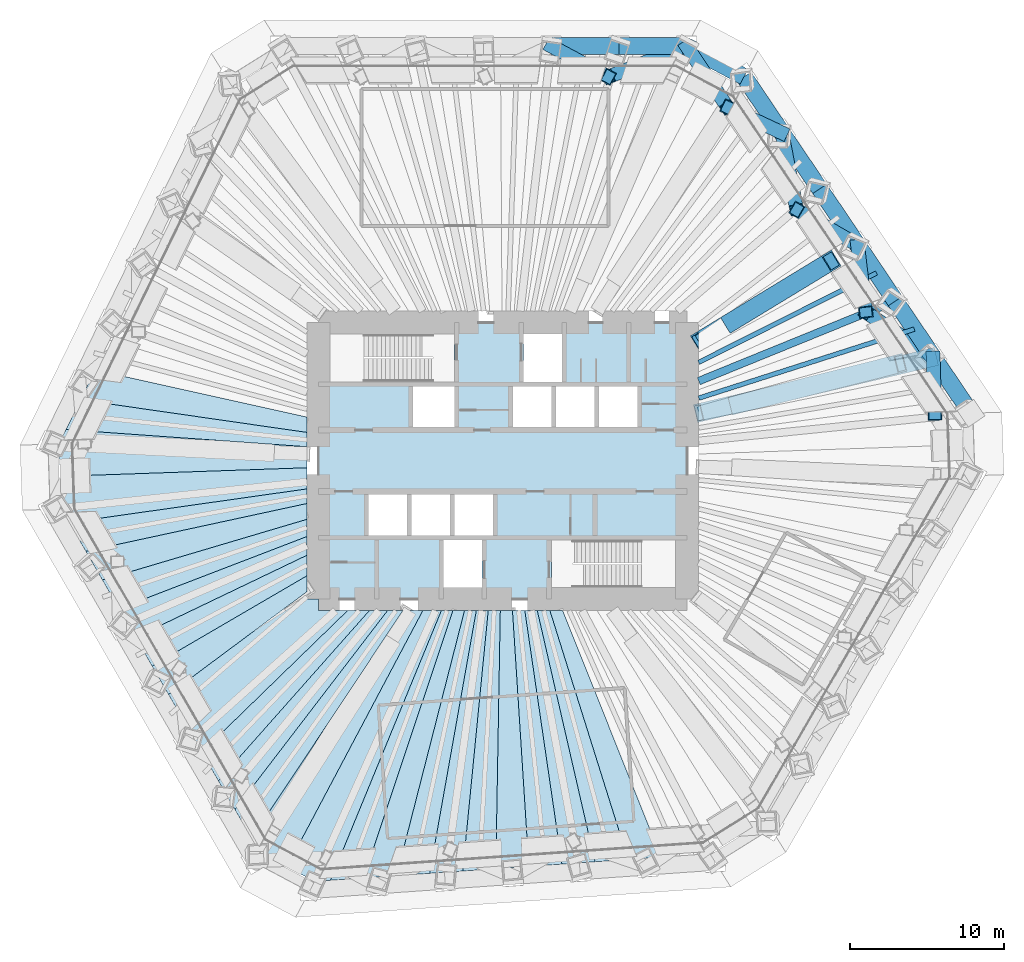
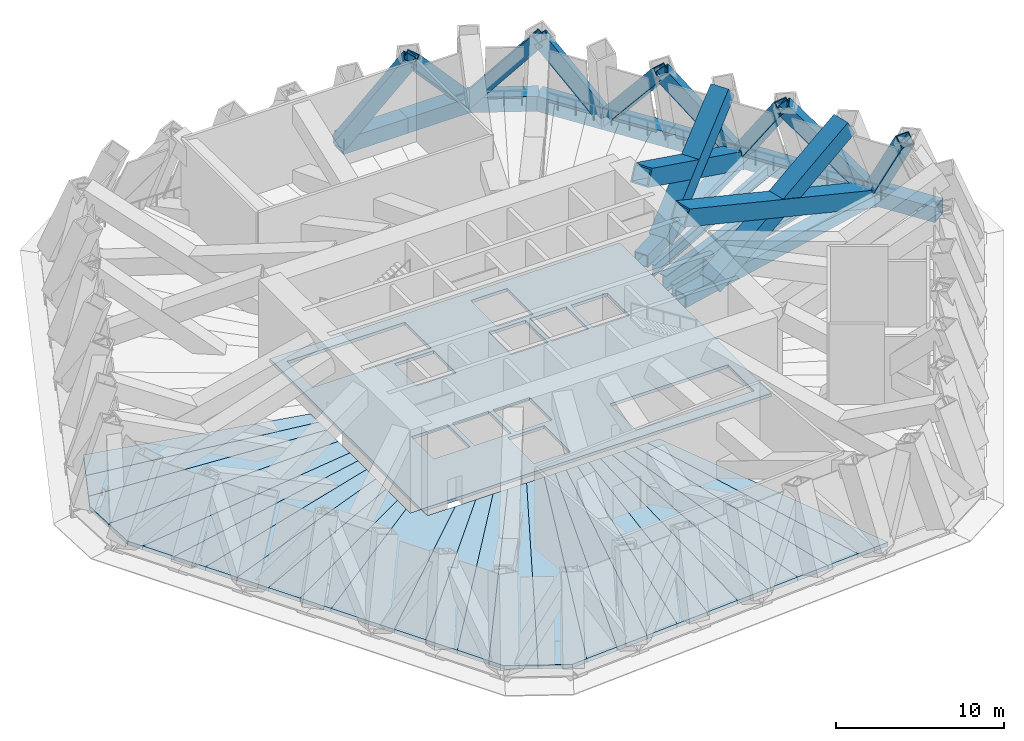
# One storey, part 5 of 12: 27 slabs, 22 members, 5 beams.
"""IFC4 building model written with IfcOpenShell, lengths in metres."""

from ifc_helpers import new_model, si_unit, direction, frame, origin, origin_2d, place, context, subcontext, project, spatial, polyline, hollow_rectangle, i_section, outline, extrude, material, layer, layer_set, material_profile, profile_set, type_object, element, save


model = new_model("IFC4")

# Units and contexts
model_context = context("Model", 3, precision=1e-05, world=origin(), true_north=direction((0.0, 1.0)))
body_context = subcontext(model_context, "Body", "Model", "MODEL_VIEW")
ifc_project = project(units=[si_unit("LENGTHUNIT", "METRE"), si_unit("AREAUNIT", "SQUARE_METRE"), si_unit("VOLUMEUNIT", "CUBIC_METRE"), si_unit("PLANEANGLEUNIT", "RADIAN"), si_unit("MASSUNIT", "GRAM", prefix="KILO")], contexts=[model_context])

# Site, building, storey
site_placement = place(None, origin())
site = spatial("IfcSite", under=ifc_project, at=site_placement, CompositionType="ELEMENT")
building_placement = place(site_placement, origin())
building = spatial("IfcBuilding", under=site, at=building_placement, Name="Qingtian Harvest Tower", CompositionType="ELEMENT")
storey_placement = place(building_placement, frame((0.0, 0.0, 97.0)))
storey = spatial("IfcBuildingStorey", under=building, at=storey_placement, Name="L19", CompositionType="ELEMENT", Elevation=97.0)

# Members
ifc_material_1 = material(Name="Steel SM570MC", Category="steel")
ifc_material_profile_1 = material_profile(ifc_material_1, hollow_rectangle(XDim=1.10009765625, YDim=1.10009765625, WallThickness=0.080078125, at=origin_2d()), Name="BOX1100x1100x80")
ifc_profile_set_1 = profile_set([ifc_material_profile_1], Name="Steel SM570MC")
member_type_1 = type_object("IfcMemberType", Name="Belt truss chord BC1 BOX1100x1100x80", PredefinedType="CHORD", material=ifc_profile_set_1)
for number, where, z_axis, x_axis, name in (
    (1, (3.14697265625, 27.0, -0.550048828125), (1.0, 0.0, 0.0), (0.0, 1.0, 0.0), "Belt chord BC1 N4"),
    (2, (7.551513671875, 27.0, -0.550048828125), (1.0, 0.0, 0.0), (0.0, 1.0, 0.0), "Belt chord BC1 N5"),
):
    element("IfcMember", number, at=place(storey_placement, frame(where, z_axis=z_axis, x_axis=x_axis)), inside=storey, type_object=member_type_1, Name=name, PredefinedType="CHORD", context=body_context, shape_type="SweptSolid", body=[
        extrude(hollow_rectangle(XDim=1.10009765625, YDim=1.10009765625, WallThickness=0.080078125, at=origin_2d()), origin(), (0.0, 0.0, 1.0), 4.404541015625),
    ])
member_1_placement = place(storey_placement, frame((11.9560546875, 27.0, -0.550048828125), z_axis=(0.882948599748, -0.469469669099, 0.0), x_axis=(0.469469669099, 0.882948599748, 0.0)))
element("IfcMember", 3, at=member_1_placement, inside=storey, type_object=member_type_1, Name="Belt chord BC1 NC", PredefinedType="CHORD", context=body_context, shape_type="SweptSolid", body=[
    extrude(hollow_rectangle(XDim=1.10009765625, YDim=1.10009765625, WallThickness=0.080078125, at=origin_2d()), origin(), (0.0, 0.0, 1.0), 4.23828125),
])
member_2_placement = place(storey_placement, frame((15.6982421875, 25.01025390625, -0.550048828125), z_axis=(0.559169135272, -0.829053603912, 0.0), x_axis=(0.829053603912, 0.559169135272, 0.0)))
element("IfcMember", 4, at=member_2_placement, inside=storey, type_object=member_type_1, Name="Belt chord BC1 NE0", PredefinedType="CHORD", context=body_context, shape_type="SweptSolid", body=[
    extrude(hollow_rectangle(XDim=1.10009765625, YDim=1.10009765625, WallThickness=0.080078125, at=origin_2d()), origin(), (0.0, 0.0, 1.0), 4.404541015625),
])
member_3_placement = place(storey_placement, frame((18.1611328125, 21.358642578125, -0.550048828125), z_axis=(0.559207231603, -0.829027907928, 0.0), x_axis=(0.829027907928, 0.559207231603, 0.0)))
element("IfcMember", 5, at=member_3_placement, inside=storey, type_object=member_type_1, Name="Belt chord BC1 NE1", PredefinedType="CHORD", context=body_context, shape_type="SweptSolid", body=[
    extrude(hollow_rectangle(XDim=1.10009765625, YDim=1.10009765625, WallThickness=0.080078125, at=origin_2d()), origin(), (0.0, 0.0, 1.0), 4.40478515625),
])
for number, where, z_axis, x_axis, name in (
    (6, (20.624267578125, 17.70703125, -0.550048828125), (0.559232928578, -0.829010573874, 0.0), (0.829010573874, 0.559232928578, 0.0), "Belt chord BC1 NE2"),
    (7, (23.08740234375, 14.0556640625, -0.550048828125), (0.559169135272, -0.829053603912, 0.0), (0.829053603912, 0.559169135272, 0.0), "Belt chord BC1 NE3"),
):
    element("IfcMember", number, at=place(storey_placement, frame(where, z_axis=z_axis, x_axis=x_axis)), inside=storey, type_object=member_type_1, Name=name, PredefinedType="CHORD", context=body_context, shape_type="SweptSolid", body=[
        extrude(hollow_rectangle(XDim=1.10009765625, YDim=1.10009765625, WallThickness=0.080078125, at=origin_2d()), origin(), (0.0, 0.0, 1.0), 4.404541015625),
    ])
member_4_placement = place(storey_placement, frame((25.55029296875, 10.404052734375, -0.550048828125), z_axis=(0.559207231603, -0.829027907928, 0.0), x_axis=(0.829027907928, 0.559207231603, 0.0)))
element("IfcMember", 8, at=member_4_placement, inside=storey, type_object=member_type_1, Name="Belt chord BC1 NE4", PredefinedType="CHORD", context=body_context, shape_type="SweptSolid", body=[
    extrude(hollow_rectangle(XDim=1.10009765625, YDim=1.10009765625, WallThickness=0.080078125, at=origin_2d()), origin(), (0.0, 0.0, 1.0), 4.40478515625),
])
member_5_placement = place(storey_placement, frame((28.013427734375, 6.75244140625, -0.550048828125), z_axis=(0.559169135272, -0.829053603912, 0.0), x_axis=(0.829053603912, 0.559169135272, 0.0)))
element("IfcMember", 9, at=member_5_placement, inside=storey, type_object=member_type_1, Name="Belt chord BC1 NE5", PredefinedType="CHORD", context=body_context, shape_type="SweptSolid", body=[
    extrude(hollow_rectangle(XDim=1.10009765625, YDim=1.10009765625, WallThickness=0.080078125, at=origin_2d()), origin(), (0.0, 0.0, 1.0), 4.404541015625),
])
ifc_material_2 = material(Name="Steel SM570MC", Category="steel")
ifc_material_profile_2 = material_profile(ifc_material_2, hollow_rectangle(XDim=0.89990234375, YDim=0.89990234375, WallThickness=0.06005859375, at=origin_2d()), Name="BOX900x900x60")
ifc_profile_set_2 = profile_set([ifc_material_profile_2], Name="Steel SM570MC")
member_type_2 = type_object("IfcMemberType", Name="Belt truss diagonal BD1 BOX900x900x60", PredefinedType="BRACE", material=ifc_profile_set_2)
member_6_placement = place(storey_placement, frame((3.14697265625, 27.0, -0.550048828125), z_axis=(0.50767578009, -0.272445462856, 0.817336388569), x_axis=(0.472863615643, 0.881135631444, 0.0)))
element("IfcMember", 10, at=member_6_placement, inside=storey, type_object=member_type_2, Name="Belt truss diagonal BD1 L19 N4", PredefinedType="BRACE", context=body_context, shape_type="SweptSolid", body=[
    extrude(hollow_rectangle(XDim=0.89990234375, YDim=0.89990234375, WallThickness=0.06005859375, at=origin_2d()), origin(), (0.0, 0.0, 1.0), 7.3408203125),
])
member_7_placement = place(storey_placement, frame((6.873779296875, 25.0, 5.449951171875), z_axis=(0.626394361351, 0.246501542402, -0.739504627207), x_axis=(-0.366190303504, 0.930539983891, 0.0)))
element("IfcMember", 11, at=member_7_placement, inside=storey, type_object=member_type_2, Name="Belt truss diagonal BD1 L19 N5", PredefinedType="BRACE", context=body_context, shape_type="SweptSolid", body=[
    extrude(hollow_rectangle(XDim=0.89990234375, YDim=0.89990234375, WallThickness=0.06005859375, at=origin_2d()), origin(), (0.0, 0.0, 1.0), 8.113525390625),
])
member_8_placement = place(storey_placement, frame((11.9560546875, 27.0, -0.550048828125), z_axis=(0.348462261767, -0.519009322074, 0.780514814545), x_axis=(0.83023255063, 0.557417179385, 0.0)))
element("IfcMember", 12, at=member_8_placement, inside=storey, type_object=member_type_2, Name="Belt truss diagonal BD1 L19 N6", PredefinedType="BRACE", context=body_context, shape_type="SweptSolid", body=[
    extrude(hollow_rectangle(XDim=0.89990234375, YDim=0.89990234375, WallThickness=0.06005859375, at=origin_2d()), origin(), (0.0, 0.0, 1.0), 7.687255859375),
])
member_9_placement = place(storey_placement, frame((14.634765625, 23.01025390625, 5.449951171875), z_axis=(0.493002552553, -0.230902954031, -0.838827937658), x_axis=(0.424144715837, 0.905594423585, 0.0)))
element("IfcMember", 13, at=member_9_placement, inside=storey, type_object=member_type_2, Name="Belt truss diagonal BD1 L19 NE0", PredefinedType="BRACE", context=body_context, shape_type="SweptSolid", body=[
    extrude(hollow_rectangle(XDim=0.89990234375, YDim=0.89990234375, WallThickness=0.06005859375, at=origin_2d()), origin(), (0.0, 0.0, 1.0), 7.15283203125),
])
member_10_placement = place(storey_placement, frame((18.1611328125, 21.358642578125, -0.550048828125), z_axis=(0.122940673191, -0.636242001669, 0.761630951438), x_axis=(0.981838229775, 0.189720032027, 0.0)))
element("IfcMember", 14, at=member_10_placement, inside=storey, type_object=member_type_2, Name="Belt truss diagonal BD1 L19 NE1", PredefinedType="BRACE", context=body_context, shape_type="SweptSolid", body=[
    extrude(hollow_rectangle(XDim=0.89990234375, YDim=0.89990234375, WallThickness=0.06005859375, at=origin_2d()), origin(), (0.0, 0.0, 1.0), 7.8779296875),
])
member_11_placement = place(storey_placement, frame((19.129638671875, 16.346435546875, 5.449951171875), z_axis=(0.52462591247, -0.303655847061, -0.795336896234), x_axis=(0.500943668648, 0.865479890489, 0.0)))
element("IfcMember", 15, at=member_11_placement, inside=storey, type_object=member_type_2, Name="Belt truss diagonal BD1 L19 NE2", PredefinedType="BRACE", context=body_context, shape_type="SweptSolid", body=[
    extrude(hollow_rectangle(XDim=0.89990234375, YDim=0.89990234375, WallThickness=0.06005859375, at=origin_2d()), origin(), (0.0, 0.0, 1.0), 7.5439453125),
])
member_12_placement = place(storey_placement, frame((23.08740234375, 14.0556640625, -0.550048828125), z_axis=(0.072152661006, -0.587486643908, 0.806010816763), x_axis=(0.992542396789, 0.121899920334, 0.0)))
element("IfcMember", 16, at=member_12_placement, inside=storey, type_object=member_type_2, Name="Belt truss diagonal BD1 L19 NE3", PredefinedType="BRACE", context=body_context, shape_type="SweptSolid", body=[
    extrude(hollow_rectangle(XDim=0.89990234375, YDim=0.89990234375, WallThickness=0.06005859375, at=origin_2d()), origin(), (0.0, 0.0, 1.0), 7.444091796875),
])
member_13_placement = place(storey_placement, frame((23.62451171875, 9.682373046875, 5.449951171875), z_axis=(0.549271087911, -0.366679775603, -0.750897605635), x_axis=(0.555223234112, 0.831701364855, 0.0)))
element("IfcMember", 17, at=member_13_placement, inside=storey, type_object=member_type_2, Name="Belt truss diagonal BD1 L19 NE4", PredefinedType="BRACE", context=body_context, shape_type="SweptSolid", body=[
    extrude(hollow_rectangle(XDim=0.89990234375, YDim=0.89990234375, WallThickness=0.06005859375, at=origin_2d()), origin(), (0.0, 0.0, 1.0), 7.990478515625),
])
member_14_placement = place(storey_placement, frame((28.013427734375, 6.75244140625, -0.550048828125), z_axis=(0.014991614241, -0.528298958999, 0.848926063578), x_axis=(0.999597611929, 0.028365722739, 0.0)))
element("IfcMember", 18, at=member_14_placement, inside=storey, type_object=member_type_2, Name="Belt truss diagonal BD1 L19 NE5", PredefinedType="BRACE", context=body_context, shape_type="SweptSolid", body=[
    extrude(hollow_rectangle(XDim=0.89990234375, YDim=0.89990234375, WallThickness=0.06005859375, at=origin_2d()), origin(), (0.0, 0.0, 1.0), 7.06787109375),
])

# Beams
ifc_material_3 = material(Name="Steel SN490B", Category="steel")
ifc_material_profile_3 = material_profile(ifc_material_3, i_section(OverallWidth=0.300048828125, OverallDepth=0.800048828125, WebThickness=0.013916015625, FlangeThickness=0.02587890625, at=origin_2d()), Name="H800x300x14x26")
ifc_profile_set_3 = profile_set([ifc_material_profile_3], Name="Steel SN490B")
beam_type_1 = type_object("IfcBeamType", Name="Floor joist J1 H800x300x14x26", PredefinedType="JOIST", material=ifc_profile_set_3)
beam_1_placement = place(storey_placement, frame((24.31884765625, 12.229736328125, -0.679931640625), z_axis=(-0.893391632689, -0.449278744924, 0.0), x_axis=(0.449278744924, -0.893391632689, 0.0)))
element("IfcBeam", 19, at=beam_1_placement, inside=storey, type_object=beam_type_1, Name="Floor joist J1 NE3", PredefinedType="JOIST", context=body_context, shape_type="SweptSolid", body=[
    extrude(i_section(OverallWidth=0.300048828125, OverallDepth=0.800048828125, WebThickness=0.013916015625, FlangeThickness=0.02587890625, at=origin_2d()), origin(), (0.0, 0.0, 1.0), 12.949462890625),
])
beam_2_placement = place(storey_placement, frame((26.78173828125, 8.578125, -0.679931640625), z_axis=(-0.952340804978, -0.305036048976, 0.0), x_axis=(0.305036048976, -0.952340804978, 0.0)))
element("IfcBeam", 20, at=beam_2_placement, inside=storey, type_object=beam_type_1, Name="Floor joist J1 NE4", PredefinedType="JOIST", context=body_context, shape_type="SweptSolid", body=[
    extrude(i_section(OverallWidth=0.300048828125, OverallDepth=0.800048828125, WebThickness=0.013916015625, FlangeThickness=0.02587890625, at=origin_2d()), origin(), (0.0, 0.0, 1.0), 14.73388671875),
])
ifc_material_4 = material(Name="Steel SM570MC", Category="steel")
ifc_material_profile_4 = material_profile(ifc_material_4, hollow_rectangle(XDim=0.89990234375, YDim=0.89990234375, WallThickness=0.06005859375, at=origin_2d()), Name="BOX900x900x60")
ifc_profile_set_4 = profile_set([ifc_material_profile_4], Name="Steel SM570MC")
beam_type_2 = type_object("IfcBeamType", Name="Outrigger chord beam OC1 BOX900x900x60", PredefinedType="BEAM", material=ifc_profile_set_4)
beam_3_placement = place(storey_placement, frame((23.08740234375, 14.0556640625, -0.72998046875), z_axis=(-0.854157261259, -0.520014781558, 0.0), x_axis=(0.520014781558, -0.854157261259, 0.0)))
element("IfcBeam", 21, at=beam_3_placement, inside=storey, type_object=beam_type_2, Name="Floor beam OC1 NE3", PredefinedType="BEAM", context=body_context, shape_type="SweptSolid", body=[
    extrude(hollow_rectangle(XDim=0.89990234375, YDim=0.89990234375, WallThickness=0.06005859375, at=origin_2d()), origin(), (0.0, 0.0, 1.0), 12.1025390625),
])
beam_4_placement = place(storey_placement, frame((28.013427734375, 6.75244140625, -0.72998046875), z_axis=(-0.972155908389, -0.234334994792, 0.0), x_axis=(0.234334994792, -0.972155908389, 0.0)))
element("IfcBeam", 22, at=beam_4_placement, inside=storey, type_object=beam_type_2, Name="Floor beam OC1 NE5", PredefinedType="BEAM", context=body_context, shape_type="SweptSolid", body=[
    extrude(hollow_rectangle(XDim=0.89990234375, YDim=0.89990234375, WallThickness=0.06005859375, at=origin_2d()), origin(), (0.0, 0.0, 1.0), 15.70068359375),
])

# Members
ifc_material_5 = material(Name="Steel SM570MC", Category="steel")
ifc_material_profile_5 = material_profile(ifc_material_5, hollow_rectangle(XDim=1.199951171875, YDim=1.199951171875, WallThickness=0.10009765625, at=origin_2d()), Name="BOX1200x1200x100")
ifc_profile_set_5 = profile_set([ifc_material_profile_5], Name="Steel SM570MC")
member_type_3 = type_object("IfcMemberType", Name="Outrigger diagonal OT1 BOX1200x1200x100", PredefinedType="BRACE", material=ifc_profile_set_5)
member_15_placement = place(storey_placement, frame((28.013427734375, 6.75244140625, -0.72998046875), z_axis=(-0.906632311354, -0.215190851872, 0.362919755977), x_axis=(0.230935975169, -0.972968948823, 0.0)))
element("IfcMember", 23, at=member_15_placement, inside=storey, type_object=member_type_3, Name="Outrigger diagonal OT1 L19 NE5-1", PredefinedType="BRACE", context=body_context, shape_type="SweptSolid", body=[
    extrude(hollow_rectangle(XDim=1.199951171875, YDim=1.199951171875, WallThickness=0.10009765625, at=origin_2d()), origin(), (0.0, 0.0, 1.0), 16.835205078125),
])
member_16_placement = place(storey_placement, frame((15.083251953125, 3.6357421875, -0.72998046875), z_axis=(0.850015626588, 0.213893638244, 0.481376096286), x_axis=(-0.244027593183, 0.969768288699, 0.0)))
element("IfcMember", 24, at=member_16_placement, inside=storey, type_object=member_type_3, Name="Outrigger diagonal OT1 L19 NE5-2", PredefinedType="BRACE", context=body_context, shape_type="SweptSolid", body=[
    extrude(hollow_rectangle(XDim=1.199951171875, YDim=1.199951171875, WallThickness=0.10009765625, at=origin_2d()), origin(), (0.0, 0.0, 1.0), 12.6923828125),
])
member_17_placement = place(storey_placement, frame((23.08740234375, 14.0556640625, -0.72998046875), z_axis=(-0.762498095499, -0.464212269278, 0.450670193613), x_axis=(0.520014781558, -0.854157261259, 0.0)))
element("IfcMember", 25, at=member_17_placement, inside=storey, type_object=member_type_3, Name="Outrigger diagonal OT1 L19 NE3-1", PredefinedType="BRACE", context=body_context, shape_type="SweptSolid", body=[
    extrude(hollow_rectangle(XDim=1.199951171875, YDim=1.199951171875, WallThickness=0.10009765625, at=origin_2d()), origin(), (0.0, 0.0, 1.0), 13.557373046875),
])
member_18_placement = place(storey_placement, frame((14.800048828125, 9.01025390625, -0.72998046875), z_axis=(0.66911141369, 0.407353240384, 0.621573208575), x_axis=(-0.520010313758, 0.85415998126, 0.0)))
element("IfcMember", 26, at=member_18_placement, inside=storey, type_object=member_type_3, Name="Outrigger diagonal OT1 L19 NE3-2", PredefinedType="BRACE", context=body_context, shape_type="SweptSolid", body=[
    extrude(hollow_rectangle(XDim=1.199951171875, YDim=1.199951171875, WallThickness=0.10009765625, at=origin_2d()), origin(), (0.0, 0.0, 1.0), 9.82958984375),
])

# Beam
ifc_material_6 = material(Name="Steel SM570MC", Category="steel")
ifc_material_profile_6 = material_profile(ifc_material_6, i_section(OverallWidth=0.5, OverallDepth=1.199951171875, WebThickness=0.02490234375, FlangeThickness=0.050048828125, at=origin_2d()), Name="H1200x500x25x50")
ifc_profile_set_6 = profile_set([ifc_material_profile_6], Name="Steel SM570MC")
beam_type_3 = type_object("IfcBeamType", Name="Plant floor beam FB7 H1200x500x25x50", PredefinedType="BEAM", material=ifc_profile_set_6)
beam_5_placement = place(storey_placement, frame((25.55029296875, 10.404052734375, -0.8798828125), z_axis=(-0.926156354735, -0.37713977062, 0.0), x_axis=(0.37713977062, -0.926156354735, 0.0)))
element("IfcBeam", 27, at=beam_5_placement, inside=storey, type_object=beam_type_3, Name="Floor beam FB7 NE4", PredefinedType="BEAM", context=body_context, shape_type="SweptSolid", body=[
    extrude(i_section(OverallWidth=0.5, OverallDepth=1.199951171875, WebThickness=0.02490234375, FlangeThickness=0.050048828125, at=origin_2d()), origin(), (0.0, 0.0, 1.0), 13.82080078125),
])

# Slabs
ifc_material_7 = material(Name="Concrete fc' 35 MPa", Category="concrete")
ifc_layer_1 = layer(ifc_material_7, 0.280029296875)
ifc_layer_set_1 = layer_set([ifc_layer_1], Name="Composite floor slab FS28 280")
slab_type_1 = type_object("IfcSlabType", Name="Composite floor slab FS28 280", PredefinedType="FLOOR", material=ifc_layer_set_1)
slab_1_placement = place(storey_placement, frame((0.0, 0.0, -0.280029296875)))
element("IfcSlab", 28, at=slab_1_placement, inside=storey, type_object=slab_type_1, Name="Floor slab L19 panel D01", PredefinedType="FLOOR", context=body_context, shape_type="SweptSolid", body=[
    extrude(outline(polyline([(-28.81787109375, -1.00634765625), (-12.75, -0.447509765625), (-12.75, -1.822998046875), (-28.228515625, -4.016845703125), (-28.743896484375, -3.1240234375), (-28.81787109375, -1.00634765625)])), origin(), (0.0, 0.0, 1.0), 0.280029296875),
])
slab_2_placement = place(storey_placement, frame((0.0, 0.0, -0.280029296875)))
element("IfcSlab", 29, at=slab_2_placement, inside=storey, type_object=slab_type_1, Name="Floor slab L19 panel D02", PredefinedType="FLOOR", context=body_context, shape_type="SweptSolid", body=[
    extrude(outline(polyline([(-12.75, -2.773681640625), (-27.1494140625, -5.8857421875), (-28.228515625, -4.016845703125), (-12.75, -1.822998046875), (-12.75, -2.773681640625)])), origin(), (0.0, 0.0, 1.0), 0.280029296875),
])
slab_3_placement = place(storey_placement, frame((0.0, 0.0, -0.280029296875)))
element("IfcSlab", 30, at=slab_3_placement, inside=storey, type_object=slab_type_1, Name="Floor slab L19 panel D03", PredefinedType="FLOOR", context=body_context, shape_type="SweptSolid", body=[
    extrude(outline(polyline([(-12.75, -3.80322265625), (-26.070556640625, -7.75439453125), (-27.1494140625, -5.8857421875), (-12.75, -2.773681640625), (-12.75, -3.80322265625)])), origin(), (0.0, 0.0, 1.0), 0.280029296875),
])
slab_4_placement = place(storey_placement, frame((0.0, 0.0, -0.280029296875)))
element("IfcSlab", 31, at=slab_4_placement, inside=storey, type_object=slab_type_1, Name="Floor slab L19 panel D04", PredefinedType="FLOOR", context=body_context, shape_type="SweptSolid", body=[
    extrude(outline(polyline([(-12.75, -4.921875), (-24.99169921875, -9.623291015625), (-26.070556640625, -7.75439453125), (-12.75, -3.80322265625), (-12.75, -4.921875)])), origin(), (0.0, 0.0, 1.0), 0.280029296875),
])
slab_5_placement = place(storey_placement, frame((0.0, 0.0, -0.280029296875)))
element("IfcSlab", 32, at=slab_5_placement, inside=storey, type_object=slab_type_1, Name="Floor slab L19 panel D05", PredefinedType="FLOOR", context=body_context, shape_type="SweptSolid", body=[
    extrude(outline(polyline([(-12.75, -6.141357421875), (-23.91259765625, -11.491943359375), (-24.99169921875, -9.623291015625), (-12.75, -4.921875), (-12.75, -6.141357421875)])), origin(), (0.0, 0.0, 1.0), 0.280029296875),
])
slab_6_placement = place(storey_placement, frame((0.0, 0.0, -0.280029296875)))
element("IfcSlab", 33, at=slab_6_placement, inside=storey, type_object=slab_type_1, Name="Floor slab L19 panel D06", PredefinedType="FLOOR", context=body_context, shape_type="SweptSolid", body=[
    extrude(outline(polyline([(-12.75, -7.4765625), (-22.833740234375, -13.36083984375), (-23.91259765625, -11.491943359375), (-12.75, -6.141357421875), (-12.75, -7.4765625)])), origin(), (0.0, 0.0, 1.0), 0.280029296875),
])
slab_7_placement = place(storey_placement, frame((0.0, 0.0, -0.280029296875)))
element("IfcSlab", 34, at=slab_7_placement, inside=storey, type_object=slab_type_1, Name="Floor slab L19 panel D07", PredefinedType="FLOOR", context=body_context, shape_type="SweptSolid", body=[
    extrude(outline(polyline([(-12.75, -8.512451171875), (-21.762939453125, -15.21533203125), (-22.833740234375, -13.36083984375), (-12.75, -7.4765625), (-12.75, -8.512451171875)])), origin(), (0.0, 0.0, 1.0), 0.280029296875),
])
slab_8_placement = place(storey_placement, frame((0.0, 0.0, -0.280029296875)))
element("IfcSlab", 35, at=slab_8_placement, inside=storey, type_object=slab_type_1, Name="Floor slab L19 panel D09", PredefinedType="FLOOR", context=body_context, shape_type="SweptSolid", body=[
    extrude(outline(polyline([(-19.597900390625, -18.965576171875), (-21.762939453125, -15.21533203125), (-12.75, -8.512451171875), (-12.75, -9.0), (-12.0, -9.0), (-12.0, -9.75), (-10.1123046875, -9.75), (-19.597900390625, -18.965576171875)])), origin(), (0.0, 0.0, 1.0), 0.280029296875),
])
slab_9_placement = place(storey_placement, frame((0.0, 0.0, -0.280029296875)))
element("IfcSlab", 36, at=slab_9_placement, inside=storey, type_object=slab_type_1, Name="Floor slab L19 panel D10", PredefinedType="FLOOR", context=body_context, shape_type="SweptSolid", body=[
    extrude(outline(polyline([(-8.694580078125, -9.75), (-18.518798828125, -20.83447265625), (-19.597900390625, -18.965576171875), (-10.1123046875, -9.75), (-8.694580078125, -9.75)])), origin(), (0.0, 0.0, 1.0), 0.280029296875),
])
slab_10_placement = place(storey_placement, frame((0.0, 0.0, -0.280029296875)))
element("IfcSlab", 37, at=slab_10_placement, inside=storey, type_object=slab_type_1, Name="Floor slab L19 panel D11", PredefinedType="FLOOR", context=body_context, shape_type="SweptSolid", body=[
    extrude(outline(polyline([(-7.511474609375, -9.75), (-17.439697265625, -22.703369140625), (-18.518798828125, -20.83447265625), (-8.694580078125, -9.75), (-7.511474609375, -9.75)])), origin(), (0.0, 0.0, 1.0), 0.280029296875),
])
slab_11_placement = place(storey_placement, frame((0.0, 0.0, -0.280029296875)))
element("IfcSlab", 38, at=slab_11_placement, inside=storey, type_object=slab_type_1, Name="Floor slab L19 panel D12", PredefinedType="FLOOR", context=body_context, shape_type="SweptSolid", body=[
    extrude(outline(polyline([(-6.509033203125, -9.75), (-16.36083984375, -24.572265625), (-17.439697265625, -22.703369140625), (-7.511474609375, -9.75), (-6.509033203125, -9.75)])), origin(), (0.0, 0.0, 1.0), 0.280029296875),
])
slab_12_placement = place(storey_placement, frame((0.0, 0.0, -0.280029296875)))
element("IfcSlab", 39, at=slab_12_placement, inside=storey, type_object=slab_type_1, Name="Floor slab L19 panel D13", PredefinedType="FLOOR", context=body_context, shape_type="SweptSolid", body=[
    extrude(outline(polyline([(-6.509033203125, -9.75), (-5.213623046875, -9.75), (-14.048828125, -26.42041015625), (-15.84521484375, -25.46533203125), (-16.36083984375, -24.572265625), (-6.509033203125, -9.75)])), origin(), (0.0, 0.0, 1.0), 0.280029296875),
])
slab_13_placement = place(storey_placement, frame((0.0, 0.0, -0.280029296875)))
element("IfcSlab", 40, at=slab_13_placement, inside=storey, type_object=slab_type_1, Name="Floor slab L19 panel D14", PredefinedType="FLOOR", context=body_context, shape_type="SweptSolid", body=[
    extrude(outline(polyline([(-5.213623046875, -9.75), (-4.006591796875, -9.75), (-11.22314453125, -27.304443359375), (-12.2509765625, -27.376220703125), (-14.048828125, -26.42041015625), (-5.213623046875, -9.75)])), origin(), (0.0, 0.0, 1.0), 0.280029296875),
])
slab_14_placement = place(storey_placement, frame((0.0, 0.0, -0.280029296875)))
element("IfcSlab", 41, at=slab_14_placement, inside=storey, type_object=slab_type_1, Name="Floor slab L19 panel D15", PredefinedType="FLOOR", context=body_context, shape_type="SweptSolid", body=[
    extrude(outline(polyline([(-3.255859375, -9.75), (-9.070556640625, -27.15380859375), (-11.22314453125, -27.304443359375), (-4.006591796875, -9.75), (-3.255859375, -9.75)])), origin(), (0.0, 0.0, 1.0), 0.280029296875),
])
slab_15_placement = place(storey_placement, frame((0.0, 0.0, -0.280029296875)))
element("IfcSlab", 42, at=slab_15_placement, inside=storey, type_object=slab_type_1, Name="Floor slab L19 panel D16", PredefinedType="FLOOR", context=body_context, shape_type="SweptSolid", body=[
    extrude(outline(polyline([(-2.496826171875, -9.75), (-6.91796875, -27.00341796875), (-9.070556640625, -27.15380859375), (-3.255859375, -9.75), (-2.496826171875, -9.75)])), origin(), (0.0, 0.0, 1.0), 0.280029296875),
])
slab_16_placement = place(storey_placement, frame((0.0, 0.0, -0.280029296875)))
element("IfcSlab", 43, at=slab_16_placement, inside=storey, type_object=slab_type_1, Name="Floor slab L19 panel D17", PredefinedType="FLOOR", context=body_context, shape_type="SweptSolid", body=[
    extrude(outline(polyline([(-1.729248046875, -9.75), (-4.765380859375, -26.852783203125), (-6.91796875, -27.00341796875), (-2.496826171875, -9.75), (-1.729248046875, -9.75)])), origin(), (0.0, 0.0, 1.0), 0.280029296875),
])
slab_17_placement = place(storey_placement, frame((0.0, 0.0, -0.280029296875)))
element("IfcSlab", 44, at=slab_17_placement, inside=storey, type_object=slab_type_1, Name="Floor slab L19 panel D18", PredefinedType="FLOOR", context=body_context, shape_type="SweptSolid", body=[
    extrude(outline(polyline([(-0.952880859375, -9.75), (-2.61279296875, -26.702392578125), (-4.765380859375, -26.852783203125), (-1.729248046875, -9.75), (-0.952880859375, -9.75)])), origin(), (0.0, 0.0, 1.0), 0.280029296875),
])
slab_18_placement = place(storey_placement, frame((0.0, 0.0, -0.280029296875)))
element("IfcSlab", 45, at=slab_18_placement, inside=storey, type_object=slab_type_1, Name="Floor slab L19 panel D19", PredefinedType="FLOOR", context=body_context, shape_type="SweptSolid", body=[
    extrude(outline(polyline([(-0.16796875, -9.75), (-0.460205078125, -26.5517578125), (-2.61279296875, -26.702392578125), (-0.952880859375, -9.75), (-0.16796875, -9.75)])), origin(), (0.0, 0.0, 1.0), 0.280029296875),
])
slab_19_placement = place(storey_placement, frame((0.0, 0.0, -0.280029296875)))
element("IfcSlab", 46, at=slab_19_placement, inside=storey, type_object=slab_type_1, Name="Floor slab L19 panel D20", PredefinedType="FLOOR", context=body_context, shape_type="SweptSolid", body=[
    extrude(outline(polyline([(0.626220703125, -9.75), (1.6923828125, -26.4013671875), (-0.460205078125, -26.5517578125), (-0.16796875, -9.75), (0.626220703125, -9.75)])), origin(), (0.0, 0.0, 1.0), 0.280029296875),
])
slab_20_placement = place(storey_placement, frame((0.0, 0.0, -0.280029296875)))
element("IfcSlab", 47, at=slab_20_placement, inside=storey, type_object=slab_type_1, Name="Floor slab L19 panel D21", PredefinedType="FLOOR", context=body_context, shape_type="SweptSolid", body=[
    extrude(outline(polyline([(1.42919921875, -9.75), (3.844970703125, -26.250732421875), (1.6923828125, -26.4013671875), (0.626220703125, -9.75), (1.42919921875, -9.75)])), origin(), (0.0, 0.0, 1.0), 0.280029296875),
])
slab_21_placement = place(storey_placement, frame((0.0, 0.0, -0.280029296875)))
element("IfcSlab", 48, at=slab_21_placement, inside=storey, type_object=slab_type_1, Name="Floor slab L19 panel D22", PredefinedType="FLOOR", context=body_context, shape_type="SweptSolid", body=[
    extrude(outline(polyline([(2.24169921875, -9.75), (5.99755859375, -26.10009765625), (3.844970703125, -26.250732421875), (1.42919921875, -9.75), (2.24169921875, -9.75)])), origin(), (0.0, 0.0, 1.0), 0.280029296875),
])
slab_22_placement = place(storey_placement, frame((0.0, 0.0, -0.280029296875)))
element("IfcSlab", 49, at=slab_22_placement, inside=storey, type_object=slab_type_1, Name="Floor slab L19 panel D23", PredefinedType="FLOOR", context=body_context, shape_type="SweptSolid", body=[
    extrude(outline(polyline([(3.0634765625, -9.75), (8.150146484375, -25.94970703125), (5.99755859375, -26.10009765625), (2.24169921875, -9.75), (3.0634765625, -9.75)])), origin(), (0.0, 0.0, 1.0), 0.280029296875),
])
slab_23_placement = place(storey_placement, frame((0.0, 0.0, -0.280029296875)))
element("IfcSlab", 50, at=slab_23_placement, inside=storey, type_object=slab_type_1, Name="Floor slab L19 panel D24", PredefinedType="FLOOR", context=body_context, shape_type="SweptSolid", body=[
    extrude(outline(polyline([(3.894775390625, -9.75), (10.302734375, -25.799072265625), (8.150146484375, -25.94970703125), (3.0634765625, -9.75), (3.894775390625, -9.75)])), origin(), (0.0, 0.0, 1.0), 0.280029296875),
])
slab_24_placement = place(storey_placement, frame((0.0, 0.0, -0.280029296875)))
element("IfcSlab", 51, at=slab_24_placement, inside=storey, type_object=slab_type_1, Name="Floor slab L19 panel D76", PredefinedType="FLOOR", context=body_context, shape_type="SweptSolid", body=[
    extrude(outline(polyline([(-12.75, 1.8525390625), (-27.493896484375, 3.977294921875), (-26.548095703125, 5.916748046875), (-12.75, 2.8505859375), (-12.75, 1.8525390625)])), origin(), (0.0, 0.0, 1.0), 0.280029296875),
])
slab_25_placement = place(storey_placement, frame((0.0, 0.0, -0.280029296875)))
element("IfcSlab", 52, at=slab_25_placement, inside=storey, type_object=slab_type_1, Name="Floor slab L19 panel D77", PredefinedType="FLOOR", context=body_context, shape_type="SweptSolid", body=[
    extrude(outline(polyline([(-12.75, 0.9208984375), (-28.43994140625, 2.037841796875), (-27.493896484375, 3.977294921875), (-12.75, 1.8525390625), (-12.75, 0.9208984375)])), origin(), (0.0, 0.0, 1.0), 0.280029296875),
])
slab_26_placement = place(storey_placement, frame((0.0, 0.0, -0.280029296875)))
element("IfcSlab", 53, at=slab_26_placement, inside=storey, type_object=slab_type_1, Name="Floor slab L19 panel D78", PredefinedType="FLOOR", context=body_context, shape_type="SweptSolid", body=[
    extrude(outline(polyline([(-12.75, 0.9208984375), (-12.75, -0.447509765625), (-28.81787109375, -1.00634765625), (-28.891845703125, 1.111328125), (-28.43994140625, 2.037841796875), (-12.75, 0.9208984375)])), origin(), (0.0, 0.0, 1.0), 0.280029296875),
])
ifc_material_8 = material(Name="Concrete fc' 35 MPa", Category="concrete")
ifc_layer_2 = layer(ifc_material_8, 0.219970703125)
ifc_layer_set_2 = layer_set([ifc_layer_2], Name="Core floor slab CS22 220")
slab_type_2 = type_object("IfcSlabType", Name="Core floor slab CS22 220", PredefinedType="FLOOR", material=ifc_layer_set_2)
slab_27_placement = place(storey_placement, frame((0.0, 0.0, -0.219970703125)))
element("IfcSlab", 54, at=slab_27_placement, inside=storey, type_object=slab_type_2, Name="Core floor slab L19", PredefinedType="FLOOR", context=body_context, shape_type="SweptSolid", body=[
    extrude(outline(polyline([(-12.0, -9.0), (12.0, -9.0), (12.0, 9.0), (-12.0, 9.0), (-12.0, -9.0)]), holes=[polyline([(-11.25, 5.14990234375), (-3.14990234375, 5.14990234375), (-3.14990234375, 8.25), (-11.25, 8.25), (-11.25, 5.14990234375)]), polyline([(3.14990234375, -8.25), (11.25, -8.25), (11.25, -5.14990234375), (3.14990234375, -5.14990234375), (3.14990234375, -8.25)]), polyline([(1.35009765625, 5.14990234375), (3.85009765625, 5.14990234375), (3.85009765625, 8.25), (1.35009765625, 8.25), (1.35009765625, 5.14990234375)]), polyline([(-3.85009765625, -8.25), (-1.35009765625, -8.25), (-1.35009765625, -5.14990234375), (-3.85009765625, -5.14990234375), (-3.85009765625, -8.25)]), polyline([(-5.85009765625, 2.199951171875), (-3.14990234375, 2.199951171875), (-3.14990234375, 4.85009765625), (-5.85009765625, 4.85009765625), (-5.85009765625, 2.199951171875)]), polyline([(0.64990234375, 2.199951171875), (3.14990234375, 2.199951171875), (3.14990234375, 4.85009765625), (0.64990234375, 4.85009765625), (0.64990234375, 2.199951171875)]), polyline([(3.449951171875, 2.199951171875), (5.949951171875, 2.199951171875), (5.949951171875, 4.85009765625), (3.449951171875, 4.85009765625), (3.449951171875, 2.199951171875)]), polyline([(6.25, 2.199951171875), (8.75, 2.199951171875), (8.75, 4.85009765625), (6.25, 4.85009765625), (6.25, 2.199951171875)]), polyline([(-8.75, -4.85009765625), (-6.25, -4.85009765625), (-6.25, -2.199951171875), (-8.75, -2.199951171875), (-8.75, -4.85009765625)]), polyline([(-5.949951171875, -4.85009765625), (-3.449951171875, -4.85009765625), (-3.449951171875, -2.199951171875), (-5.949951171875, -2.199951171875), (-5.949951171875, -4.85009765625)]), polyline([(-3.14990234375, -4.85009765625), (-0.64990234375, -4.85009765625), (-0.64990234375, -2.199951171875), (-3.14990234375, -2.199951171875), (-3.14990234375, -4.85009765625)])]), origin(), (0.0, 0.0, 1.0), 0.219970703125),
])

save(model, "model.ifc")
